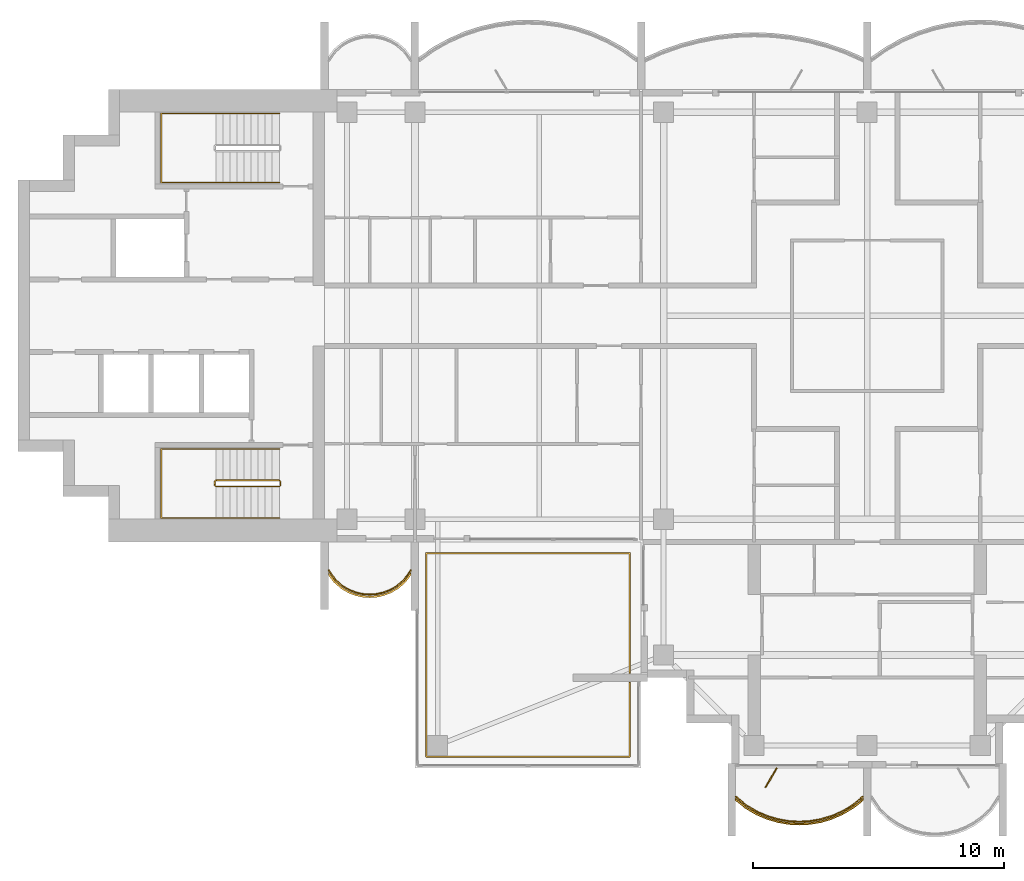
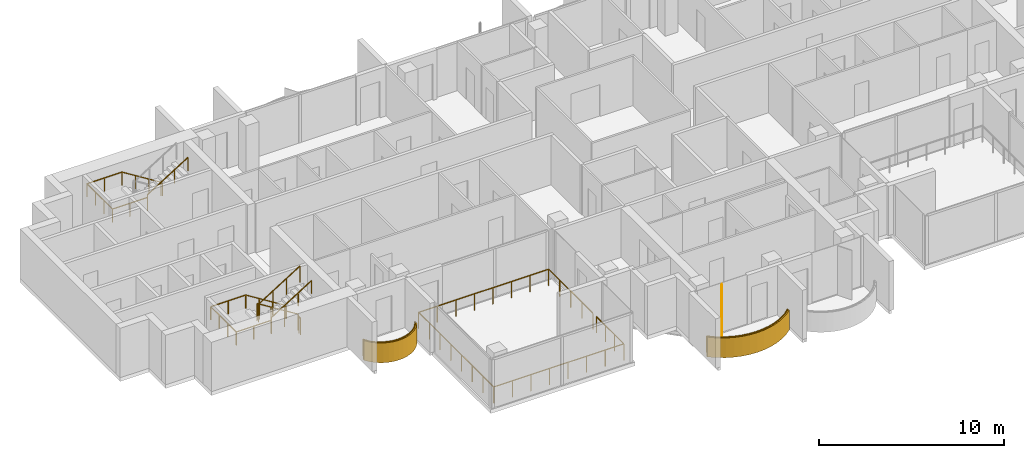
# One storey, part 13 of 16: 6 railings, 2 coverings, 1 shading device.
"""IFC4 building model written with IfcOpenShell, lengths in metres."""

from ifc_helpers import new_model, si_unit, direction, frame, origin, origin_2d, place, context, subcontext, project, spatial, polyline, rectangle, outline, extrude, material, layer, layer_set, type_object, element, save


model = new_model("IFC4")

# Units and contexts
model_context = context("Model", 3, precision=1e-05, world=origin(), true_north=direction((0.0, 1.0)))
body_context = subcontext(model_context, "Body", "Model", "MODEL_VIEW")
ifc_project = project(units=[si_unit("LENGTHUNIT", "METRE"), si_unit("AREAUNIT", "SQUARE_METRE"), si_unit("VOLUMEUNIT", "CUBIC_METRE"), si_unit("PLANEANGLEUNIT", "RADIAN"), si_unit("MASSUNIT", "GRAM", prefix="KILO")], contexts=[model_context])

# Site, building, storey
site_placement = place(None, origin())
site = spatial("IfcSite", under=ifc_project, at=site_placement, CompositionType="ELEMENT")
building_placement = place(site_placement, origin())
building = spatial("IfcBuilding", under=site, at=building_placement, Name="Perihelion Cross Residences", CompositionType="ELEMENT")
storey_placement = place(building_placement, frame((0.0, 0.0, 246.5)))
storey = spatial("IfcBuildingStorey", under=building, at=storey_placement, Name="L62", CompositionType="ELEMENT", Elevation=246.5)

# Coverings
ifc_material_1 = material(Name="Bronze anodised aluminium", Category="aluminium")
ifc_layer_1 = layer(ifc_material_1, 0.070068359375)
ifc_layer_set_1 = layer_set([ifc_layer_1], Name="Balcony fascia 1300")
covering_type = type_object("IfcCoveringType", Name="Balcony fascia 1300", PredefinedType="CLADDING", material=ifc_layer_set_1)
covering_1_placement = place(storey_placement, frame((0.0, 0.0, -0.199951171875)))
element("IfcCovering", 1, at=covering_1_placement, inside=storey, type_object=covering_type, Name="Fascia BF1 L62 west side south bay 1", PredefinedType="CLADDING", context=body_context, shape_type="SweptSolid", body=[
    extrude(outline(polyline([(-21.226318359375, -10.616455078125), (-20.94091796875, -10.86328125), (-20.655517578125, -11.031494140625), (-20.370361328125, -11.142578125), (-20.085205078125, -11.206298828125), (-19.800048828125, -11.22705078125), (-19.514892578125, -11.206298828125), (-19.229736328125, -11.142578125), (-18.9443359375, -11.031494140625), (-18.6591796875, -10.86328125), (-18.373779296875, -10.616455078125), (-18.14990234375, -10.31689453125), (-18.14990234375, -10.199951171875), (-18.425048828125, -10.568603515625), (-18.699951171875, -10.806396484375), (-18.97509765625, -10.96875), (-19.25, -11.07568359375), (-19.52490234375, -11.136962890625), (-19.800048828125, -11.156982421875), (-20.074951171875, -11.136962890625), (-20.35009765625, -11.07568359375), (-20.625, -10.96875), (-20.89990234375, -10.806396484375), (-21.175048828125, -10.568603515625), (-21.449951171875, -10.199951171875), (-21.449951171875, -10.31689453125), (-21.226318359375, -10.616455078125)])), origin(), (0.0, 0.0, 1.0), 1.300048828125),
])
covering_2_placement = place(storey_placement, frame((0.0, 0.0, -0.199951171875)))
element("IfcCovering", 2, at=covering_2_placement, inside=storey, type_object=covering_type, Name="Fascia BF1 L62 south tip south bay 1", PredefinedType="CLADDING", context=body_context, shape_type="SweptSolid", body=[
    extrude(outline(polyline([(-4.86474609375, -19.59765625), (-4.431884765625, -19.85498046875), (-3.998779296875, -20.04248046875), (-3.56591796875, -20.170654296875), (-3.133056640625, -20.245361328125), (-2.699951171875, -20.27001953125), (-2.26708984375, -20.245361328125), (-1.833984375, -20.170654296875), (-1.401123046875, -20.04248046875), (-0.96826171875, -19.85498046875), (-0.53515625, -19.59765625), (-0.14990234375, -19.28955078125), (-0.14990234375, -19.199951171875), (-0.574951171875, -19.5400390625), (-1.0, -19.792724609375), (-1.425048828125, -19.9765625), (-1.85009765625, -20.1025390625), (-2.27490234375, -20.17578125), (-2.699951171875, -20.199951171875), (-3.125, -20.17578125), (-3.550048828125, -20.1025390625), (-3.97509765625, -19.9765625), (-4.39990234375, -19.792724609375), (-4.824951171875, -19.5400390625), (-5.25, -19.199951171875), (-5.25, -19.28955078125), (-4.86474609375, -19.59765625)])), origin(), (0.0, 0.0, 1.0), 1.300048828125),
])

# Railings
ifc_material_2 = material(Name="Bronze anodised aluminium", Category="aluminium")
railing_type_1 = type_object("IfcRailingType", Name="Balcony guard 1100", PredefinedType="GUARDRAIL", material=ifc_material_2)
railing_1_placement = place(storey_placement, frame((-21.425048828125, -10.139892578125, 0.0)))
element("IfcRailing", 3, at=railing_1_placement, inside=storey, type_object=railing_type_1, Name="Guard GU1 L62 west side south bay 1 balcony", PredefinedType="GUARDRAIL", context=body_context, shape_type="SweptSolid", body=[
    extrude(rectangle(XDim=0.048095703125, YDim=0.048095703125, at=origin_2d()), frame((0.0, 0.0, 1.076171875), z_axis=(0.561260132269, -0.827639452857, 0.0), x_axis=(0.827639452857, 0.561260132269, 0.0)), (0.0, 0.0, 1.0), 0.4453125),
    extrude(rectangle(XDim=0.048095703125, YDim=0.048095703125, at=origin_2d()), frame((0.25, -0.36865234375, 1.076171875), z_axis=(0.756596535164, -0.653882009982, 0.0), x_axis=(0.653882009982, 0.756596535164, 0.0)), (0.0, 0.0, 1.0), 0.36376953125),
    extrude(rectangle(XDim=0.048095703125, YDim=0.048095703125, at=origin_2d()), frame((0.525146484375, -0.6064453125, 1.076171875), z_axis=(0.861048292884, -0.508523192511, 0.0), x_axis=(0.508523192511, 0.861048292884, 0.0)), (0.0, 0.0, 1.0), 0.3193359375),
    extrude(rectangle(XDim=0.048095703125, YDim=0.048095703125, at=origin_2d()), frame((0.800048828125, -0.768798828125, 1.076171875), z_axis=(0.931973602183, -0.362526143656, 0.0), x_axis=(0.362526143656, 0.931973602183, 0.0)), (0.0, 0.0, 1.0), 0.294921875),
    extrude(rectangle(XDim=0.048095703125, YDim=0.048095703125, at=origin_2d()), frame((1.074951171875, -0.875732421875, 1.076171875), z_axis=(0.976085059389, -0.21738895289, 0.0), x_axis=(0.21738895289, 0.976085059389, 0.0)), (0.0, 0.0, 1.0), 0.281982421875),
    extrude(rectangle(XDim=0.048095703125, YDim=0.048095703125, at=origin_2d()), frame((1.35009765625, -0.93701171875, 1.076171875), z_axis=(0.997358821833, -0.072631814734, 0.0), x_axis=(0.072631814734, 0.997358821833, 0.0)), (0.0, 0.0, 1.0), 0.275634765625),
    extrude(rectangle(XDim=0.048095703125, YDim=0.048095703125, at=origin_2d()), frame((1.625, -0.95703125, 1.076171875), z_axis=(0.997363488337, 0.072567707226, 0.0), x_axis=(-0.072567707226, 0.997363488337, 0.0)), (0.0, 0.0, 1.0), 0.27587890625),
    extrude(rectangle(XDim=0.048095703125, YDim=0.048095703125, at=origin_2d()), frame((1.900146484375, -0.93701171875, 1.076171875), z_axis=(0.976044077717, 0.217572880557, 0.0), x_axis=(-0.217572880557, 0.976044077717, 0.0)), (0.0, 0.0, 1.0), 0.28173828125),
    extrude(rectangle(XDim=0.048095703125, YDim=0.048095703125, at=origin_2d()), frame((2.175048828125, -0.875732421875, 1.076171875), z_axis=(0.931973602183, 0.362526143656, 0.0), x_axis=(-0.362526143656, 0.931973602183, 0.0)), (0.0, 0.0, 1.0), 0.294921875),
    extrude(rectangle(XDim=0.048095703125, YDim=0.048095703125, at=origin_2d()), frame((2.449951171875, -0.768798828125, 1.076171875), z_axis=(0.861245845072, 0.508188542123, 0.0), x_axis=(-0.508188542123, 0.861245845072, 0.0)), (0.0, 0.0, 1.0), 0.319580078125),
    extrude(rectangle(XDim=0.048095703125, YDim=0.048095703125, at=origin_2d()), frame((2.72509765625, -0.6064453125, 1.076171875), z_axis=(0.756309278473, 0.654214242658, 0.0), x_axis=(-0.654214242658, 0.756309278473, 0.0)), (0.0, 0.0, 1.0), 0.363525390625),
    extrude(rectangle(XDim=0.048095703125, YDim=0.048095703125, at=origin_2d()), frame((3.0, -0.36865234375, 1.076171875), z_axis=(0.561260132269, 0.827639452857, 0.0), x_axis=(-0.827639452857, 0.561260132269, 0.0)), (0.0, 0.0, 1.0), 0.4453125),
    extrude(rectangle(XDim=0.0419921875, YDim=0.0419921875, at=origin_2d()), origin(), (0.0, 0.0, 1.0), 1.052001953125),
    extrude(rectangle(XDim=0.0419921875, YDim=0.0419921875, at=origin_2d()), frame((0.25, -0.36865234375, 0.0)), (0.0, 0.0, 1.0), 1.052001953125),
    extrude(rectangle(XDim=0.0419921875, YDim=0.0419921875, at=origin_2d()), frame((0.525146484375, -0.6064453125, 0.0)), (0.0, 0.0, 1.0), 1.052001953125),
    extrude(rectangle(XDim=0.0419921875, YDim=0.0419921875, at=origin_2d()), frame((0.800048828125, -0.768798828125, 0.0)), (0.0, 0.0, 1.0), 1.052001953125),
    extrude(rectangle(XDim=0.0419921875, YDim=0.0419921875, at=origin_2d()), frame((1.074951171875, -0.875732421875, 0.0)), (0.0, 0.0, 1.0), 1.052001953125),
    extrude(rectangle(XDim=0.0419921875, YDim=0.0419921875, at=origin_2d()), frame((1.35009765625, -0.93701171875, 0.0)), (0.0, 0.0, 1.0), 1.052001953125),
    extrude(rectangle(XDim=0.0419921875, YDim=0.0419921875, at=origin_2d()), frame((1.625, -0.95703125, 0.0)), (0.0, 0.0, 1.0), 1.052001953125),
    extrude(rectangle(XDim=0.0419921875, YDim=0.0419921875, at=origin_2d()), frame((1.900146484375, -0.93701171875, 0.0)), (0.0, 0.0, 1.0), 1.052001953125),
    extrude(rectangle(XDim=0.0419921875, YDim=0.0419921875, at=origin_2d()), frame((2.175048828125, -0.875732421875, 0.0)), (0.0, 0.0, 1.0), 1.052001953125),
    extrude(rectangle(XDim=0.0419921875, YDim=0.0419921875, at=origin_2d()), frame((2.449951171875, -0.768798828125, 0.0)), (0.0, 0.0, 1.0), 1.052001953125),
    extrude(rectangle(XDim=0.0419921875, YDim=0.0419921875, at=origin_2d()), frame((2.72509765625, -0.6064453125, 0.0)), (0.0, 0.0, 1.0), 1.052001953125),
    extrude(rectangle(XDim=0.0419921875, YDim=0.0419921875, at=origin_2d()), frame((3.0, -0.36865234375, 0.0)), (0.0, 0.0, 1.0), 1.052001953125),
    extrude(rectangle(XDim=0.0419921875, YDim=0.0419921875, at=origin_2d()), frame((3.25, 0.0, 0.0)), (0.0, 0.0, 1.0), 1.052001953125),
])
railing_2_placement = place(storey_placement, frame((-5.22509765625, -19.139892578125, 0.0)))
element("IfcRailing", 4, at=railing_2_placement, inside=storey, type_object=railing_type_1, Name="Guard GU1 L62 south tip south bay 1 balcony", PredefinedType="GUARDRAIL", context=body_context, shape_type="SweptSolid", body=[
    extrude(rectangle(XDim=0.048095703125, YDim=0.048095703125, at=origin_2d()), frame((0.0, 0.0, 1.076171875), z_axis=(0.761973728849, -0.647607934281, 0.0), x_axis=(0.647607934281, 0.761973728849, 0.0)), (0.0, 0.0, 1.0), 0.525146484375),
    extrude(rectangle(XDim=0.048095703125, YDim=0.048095703125, at=origin_2d()), frame((0.400146484375, -0.340087890625, 1.076171875), z_axis=(0.859576918062, -0.511006381501, 0.0), x_axis=(0.511006381501, 0.859576918062, 0.0)), (0.0, 0.0, 1.0), 0.494384765625),
    extrude(rectangle(XDim=0.048095703125, YDim=0.048095703125, at=origin_2d()), frame((0.8251953125, -0.5927734375, 1.076171875), z_axis=(0.91755562531, -0.397607437634, 0.0), x_axis=(0.397607437634, 0.91755562531, 0.0)), (0.0, 0.0, 1.0), 0.462890625),
    extrude(rectangle(XDim=0.048095703125, YDim=0.048095703125, at=origin_2d()), frame((1.25, -0.77685546875, 1.076171875), z_axis=(0.958925815697, -0.283656975924, 0.0), x_axis=(0.283656975924, 0.958925815697, 0.0)), (0.0, 0.0, 1.0), 0.443359375),
    extrude(rectangle(XDim=0.048095703125, YDim=0.048095703125, at=origin_2d()), frame((1.675048828125, -0.902587890625, 1.076171875), z_axis=(0.985381583142, -0.17036177859, 0.0), x_axis=(0.17036177859, 0.985381583142, 0.0)), (0.0, 0.0, 1.0), 0.431396484375),
    extrude(rectangle(XDim=0.048095703125, YDim=0.048095703125, at=origin_2d()), frame((2.10009765625, -0.97607421875, 1.076171875), z_axis=(0.9984195016, -0.056200523353, 0.0), x_axis=(0.056200523353, 0.9984195016, 0.0)), (0.0, 0.0, 1.0), 0.42578125),
    extrude(rectangle(XDim=0.048095703125, YDim=0.048095703125, at=origin_2d()), frame((2.525146484375, -1.0, 1.076171875), z_axis=(0.9984195016, 0.056200523353, 0.0), x_axis=(-0.056200523353, 0.9984195016, 0.0)), (0.0, 0.0, 1.0), 0.42578125),
    extrude(rectangle(XDim=0.048095703125, YDim=0.048095703125, at=origin_2d()), frame((2.9501953125, -0.97607421875, 1.076171875), z_axis=(0.985365142702, 0.170456843651, 0.0), x_axis=(-0.170456843651, 0.985365142702, 0.0)), (0.0, 0.0, 1.0), 0.43115234375),
    extrude(rectangle(XDim=0.048095703125, YDim=0.048095703125, at=origin_2d()), frame((3.375, -0.902587890625, 1.076171875), z_axis=(0.958925815697, 0.283656975924, 0.0), x_axis=(-0.283656975924, 0.958925815697, 0.0)), (0.0, 0.0, 1.0), 0.443359375),
    extrude(rectangle(XDim=0.048095703125, YDim=0.048095703125, at=origin_2d()), frame((3.800048828125, -0.77685546875, 1.076171875), z_axis=(0.917638931453, 0.397415137459, 0.0), x_axis=(-0.397415137459, 0.917638931453, 0.0)), (0.0, 0.0, 1.0), 0.463134765625),
    extrude(rectangle(XDim=0.048095703125, YDim=0.048095703125, at=origin_2d()), frame((4.22509765625, -0.5927734375, 1.076171875), z_axis=(0.859576918062, 0.511006381501, 0.0), x_axis=(-0.511006381501, 0.859576918062, 0.0)), (0.0, 0.0, 1.0), 0.494384765625),
    extrude(rectangle(XDim=0.048095703125, YDim=0.048095703125, at=origin_2d()), frame((4.650146484375, -0.340087890625, 1.076171875), z_axis=(0.761778647315, 0.647837396648, 0.0), x_axis=(-0.647837396648, 0.761778647315, 0.0)), (0.0, 0.0, 1.0), 0.52490234375),
    extrude(rectangle(XDim=0.0419921875, YDim=0.0419921875, at=origin_2d()), origin(), (0.0, 0.0, 1.0), 1.052001953125),
    extrude(rectangle(XDim=0.0419921875, YDim=0.0419921875, at=origin_2d()), frame((0.400146484375, -0.340087890625, 0.0)), (0.0, 0.0, 1.0), 1.052001953125),
    extrude(rectangle(XDim=0.0419921875, YDim=0.0419921875, at=origin_2d()), frame((0.8251953125, -0.5927734375, 0.0)), (0.0, 0.0, 1.0), 1.052001953125),
    extrude(rectangle(XDim=0.0419921875, YDim=0.0419921875, at=origin_2d()), frame((1.25, -0.77685546875, 0.0)), (0.0, 0.0, 1.0), 1.052001953125),
    extrude(rectangle(XDim=0.0419921875, YDim=0.0419921875, at=origin_2d()), frame((1.675048828125, -0.902587890625, 0.0)), (0.0, 0.0, 1.0), 1.052001953125),
    extrude(rectangle(XDim=0.0419921875, YDim=0.0419921875, at=origin_2d()), frame((2.10009765625, -0.97607421875, 0.0)), (0.0, 0.0, 1.0), 1.052001953125),
    extrude(rectangle(XDim=0.0419921875, YDim=0.0419921875, at=origin_2d()), frame((2.525146484375, -1.0, 0.0)), (0.0, 0.0, 1.0), 1.052001953125),
    extrude(rectangle(XDim=0.0419921875, YDim=0.0419921875, at=origin_2d()), frame((2.9501953125, -0.97607421875, 0.0)), (0.0, 0.0, 1.0), 1.052001953125),
    extrude(rectangle(XDim=0.0419921875, YDim=0.0419921875, at=origin_2d()), frame((3.375, -0.902587890625, 0.0)), (0.0, 0.0, 1.0), 1.052001953125),
    extrude(rectangle(XDim=0.0419921875, YDim=0.0419921875, at=origin_2d()), frame((3.800048828125, -0.77685546875, 0.0)), (0.0, 0.0, 1.0), 1.052001953125),
    extrude(rectangle(XDim=0.0419921875, YDim=0.0419921875, at=origin_2d()), frame((4.22509765625, -0.5927734375, 0.0)), (0.0, 0.0, 1.0), 1.052001953125),
    extrude(rectangle(XDim=0.0419921875, YDim=0.0419921875, at=origin_2d()), frame((4.650146484375, -0.340087890625, 0.0)), (0.0, 0.0, 1.0), 1.052001953125),
    extrude(rectangle(XDim=0.0419921875, YDim=0.0419921875, at=origin_2d()), frame((5.050048828125, 0.0, 0.0)), (0.0, 0.0, 1.0), 1.052001953125),
])
railing_3_placement = place(storey_placement, frame((-9.449951171875, -14.590087890625, 0.0)))
element("IfcRailing", 5, at=railing_3_placement, inside=storey, type_object=railing_type_1, Name="Guard GU1 L62 pocket south-west 1", PredefinedType="GUARDRAIL", context=body_context, shape_type="SweptSolid", body=[
    extrude(rectangle(XDim=0.048095703125, YDim=0.048095703125, at=origin_2d()), frame((0.0, 0.0, 1.076171875), z_axis=(0.0, -1.0, 0.0), x_axis=(1.0, 0.0, 0.0)), (0.0, 0.0, 1.0), 2.9599609375),
    extrude(rectangle(XDim=0.048095703125, YDim=0.048095703125, at=origin_2d()), frame((0.0, -2.9599609375, 1.076171875), z_axis=(-1.0, 0.0, 0.0), x_axis=(0.0, -1.0, 0.0)), (0.0, 0.0, 1.0), 8.10009765625),
    extrude(rectangle(XDim=0.048095703125, YDim=0.048095703125, at=origin_2d()), frame((-8.10009765625, -2.9599609375, 1.076171875), z_axis=(0.0, 1.0, 0.0), x_axis=(-1.0, 0.0, 0.0)), (0.0, 0.0, 1.0), 8.10009765625),
    extrude(rectangle(XDim=0.048095703125, YDim=0.048095703125, at=origin_2d()), frame((-8.10009765625, 5.14013671875, 1.076171875), z_axis=(1.0, 0.0, 0.0), x_axis=(0.0, 1.0, 0.0)), (0.0, 0.0, 1.0), 8.10009765625),
    extrude(rectangle(XDim=0.048095703125, YDim=0.048095703125, at=origin_2d()), frame((0.0, 5.14013671875, 1.076171875), z_axis=(0.0, -1.0, 0.0), x_axis=(1.0, 0.0, 0.0)), (0.0, 0.0, 1.0), 4.760009765625),
    extrude(rectangle(XDim=0.0419921875, YDim=0.0419921875, at=origin_2d()), origin(), (0.0, 0.0, 1.0), 1.052001953125),
    extrude(rectangle(XDim=0.0419921875, YDim=0.0419921875, at=origin_2d()), frame((0.0, -0.986572265625, 0.0)), (0.0, 0.0, 1.0), 1.052001953125),
    extrude(rectangle(XDim=0.0419921875, YDim=0.0419921875, at=origin_2d()), frame((0.0, -1.973388671875, 0.0)), (0.0, 0.0, 1.0), 1.052001953125),
    extrude(rectangle(XDim=0.0419921875, YDim=0.0419921875, at=origin_2d()), frame((0.0, -2.9599609375, 0.0)), (0.0, 0.0, 1.0), 1.052001953125),
    extrude(rectangle(XDim=0.0419921875, YDim=0.0419921875, at=origin_2d()), frame((-1.1572265625, -2.9599609375, 0.0)), (0.0, 0.0, 1.0), 1.052001953125),
    extrude(rectangle(XDim=0.0419921875, YDim=0.0419921875, at=origin_2d()), frame((-2.314208984375, -2.9599609375, 0.0)), (0.0, 0.0, 1.0), 1.052001953125),
    extrude(rectangle(XDim=0.0419921875, YDim=0.0419921875, at=origin_2d()), frame((-3.471435546875, -2.9599609375, 0.0)), (0.0, 0.0, 1.0), 1.052001953125),
    extrude(rectangle(XDim=0.0419921875, YDim=0.0419921875, at=origin_2d()), frame((-4.628662109375, -2.9599609375, 0.0)), (0.0, 0.0, 1.0), 1.052001953125),
    extrude(rectangle(XDim=0.0419921875, YDim=0.0419921875, at=origin_2d()), frame((-5.785888671875, -2.9599609375, 0.0)), (0.0, 0.0, 1.0), 1.052001953125),
    extrude(rectangle(XDim=0.0419921875, YDim=0.0419921875, at=origin_2d()), frame((-6.94287109375, -2.9599609375, 0.0)), (0.0, 0.0, 1.0), 1.052001953125),
    extrude(rectangle(XDim=0.0419921875, YDim=0.0419921875, at=origin_2d()), frame((-8.10009765625, -2.9599609375, 0.0)), (0.0, 0.0, 1.0), 1.052001953125),
    extrude(rectangle(XDim=0.0419921875, YDim=0.0419921875, at=origin_2d()), frame((-8.10009765625, -1.802734375, 0.0)), (0.0, 0.0, 1.0), 1.052001953125),
    extrude(rectangle(XDim=0.0419921875, YDim=0.0419921875, at=origin_2d()), frame((-8.10009765625, -0.645751953125, 0.0)), (0.0, 0.0, 1.0), 1.052001953125),
    extrude(rectangle(XDim=0.0419921875, YDim=0.0419921875, at=origin_2d()), frame((-8.10009765625, 0.511474609375, 0.0)), (0.0, 0.0, 1.0), 1.052001953125),
    extrude(rectangle(XDim=0.0419921875, YDim=0.0419921875, at=origin_2d()), frame((-8.10009765625, 1.668701171875, 0.0)), (0.0, 0.0, 1.0), 1.052001953125),
    extrude(rectangle(XDim=0.0419921875, YDim=0.0419921875, at=origin_2d()), frame((-8.10009765625, 2.825927734375, 0.0)), (0.0, 0.0, 1.0), 1.052001953125),
    extrude(rectangle(XDim=0.0419921875, YDim=0.0419921875, at=origin_2d()), frame((-8.10009765625, 3.98291015625, 0.0)), (0.0, 0.0, 1.0), 1.052001953125),
    extrude(rectangle(XDim=0.0419921875, YDim=0.0419921875, at=origin_2d()), frame((-8.10009765625, 5.14013671875, 0.0)), (0.0, 0.0, 1.0), 1.052001953125),
    extrude(rectangle(XDim=0.0419921875, YDim=0.0419921875, at=origin_2d()), frame((-6.94287109375, 5.14013671875, 0.0)), (0.0, 0.0, 1.0), 1.052001953125),
    extrude(rectangle(XDim=0.0419921875, YDim=0.0419921875, at=origin_2d()), frame((-5.785888671875, 5.14013671875, 0.0)), (0.0, 0.0, 1.0), 1.052001953125),
    extrude(rectangle(XDim=0.0419921875, YDim=0.0419921875, at=origin_2d()), frame((-4.628662109375, 5.14013671875, 0.0)), (0.0, 0.0, 1.0), 1.052001953125),
    extrude(rectangle(XDim=0.0419921875, YDim=0.0419921875, at=origin_2d()), frame((-3.471435546875, 5.14013671875, 0.0)), (0.0, 0.0, 1.0), 1.052001953125),
    extrude(rectangle(XDim=0.0419921875, YDim=0.0419921875, at=origin_2d()), frame((-2.314208984375, 5.14013671875, 0.0)), (0.0, 0.0, 1.0), 1.052001953125),
    extrude(rectangle(XDim=0.0419921875, YDim=0.0419921875, at=origin_2d()), frame((-1.1572265625, 5.14013671875, 0.0)), (0.0, 0.0, 1.0), 1.052001953125),
    extrude(rectangle(XDim=0.0419921875, YDim=0.0419921875, at=origin_2d()), frame((0.0, 5.14013671875, 0.0)), (0.0, 0.0, 1.0), 1.052001953125),
    extrude(rectangle(XDim=0.0419921875, YDim=0.0419921875, at=origin_2d()), frame((0.0, 3.9501953125, 0.0)), (0.0, 0.0, 1.0), 1.052001953125),
    extrude(rectangle(XDim=0.0419921875, YDim=0.0419921875, at=origin_2d()), frame((0.0, 2.76025390625, 0.0)), (0.0, 0.0, 1.0), 1.052001953125),
    extrude(rectangle(XDim=0.0419921875, YDim=0.0419921875, at=origin_2d()), frame((0.0, 1.570068359375, 0.0)), (0.0, 0.0, 1.0), 1.052001953125),
    extrude(rectangle(XDim=0.0419921875, YDim=0.0419921875, at=origin_2d()), frame((0.0, 0.380126953125, 0.0)), (0.0, 0.0, 1.0), 1.052001953125),
])

# Shading device
ifc_material_3 = material(Name="Bronze anodised aluminium", Category="aluminium")
ifc_layer_2 = layer(ifc_material_3, 0.050048828125)
ifc_layer_set_2 = layer_set([ifc_layer_2], Name="Bronze fin 900")
shading_device_type = type_object("IfcShadingDeviceType", Name="Bronze fin 900", PredefinedType="USERDEFINED", material=ifc_layer_set_2)
shading_device_placement = place(storey_placement, frame((-3.824951171875, -18.3896484375, 0.0), z_axis=(0.0, 0.0, 1.0), x_axis=(-0.5, -0.866025403784, 0.0)))
element("IfcShadingDevice", 6, at=shading_device_placement, inside=storey, type_object=shading_device_type, Name="Fin FN1 L62 south tip south bay 1", ObjectType="FIN", PredefinedType="USERDEFINED", context=body_context, shape_type="SweptSolid", body=[
    extrude(rectangle(XDim=0.89990234375, YDim=0.050048828125, at=origin_2d()), origin(), (0.0, 0.0, 1.0), 3.25),
])

# Railings
ifc_material_4 = material(Name="Stainless steel", Category="steel")
railing_type_2 = type_object("IfcRailingType", Name="Stair guard 1100", PredefinedType="GUARDRAIL", material=ifc_material_4)
railing_4_placement = place(storey_placement, frame((-23.35009765625, -6.75, 0.0)))
element("IfcRailing", 7, at=railing_4_placement, inside=storey, type_object=railing_type_2, Name="L62 ST-W2 stair guard 1", PredefinedType="GUARDRAIL", context=body_context, shape_type="SweptSolid", body=[
    extrude(rectangle(XDim=0.048095703125, YDim=0.048095703125, at=origin_2d()), frame((0.0, 0.0, 1.076171875), z_axis=(0.0, 1.0, 0.0), x_axis=(-1.0, 0.0, 0.0)), (0.0, 0.0, 1.0), 0.14990234375),
    extrude(rectangle(XDim=0.048095703125, YDim=0.048095703125, at=origin_2d()), frame((0.0, 0.14990234375, 1.076171875), z_axis=(-0.263862480399, 0.265155923931, 0.927399011991), x_axis=(-0.708833529934, -0.705375805398, 0.0)), (0.0, 0.0, 1.0), 0.188720703125),
    extrude(rectangle(XDim=0.048095703125, YDim=0.048095703125, at=origin_2d()), frame((-0.0498046875, 0.199951171875, 1.2509765625), z_axis=(-0.848007534815, 0.0, 0.529984170421), x_axis=(0.0, -1.0, 0.0)), (0.0, 0.0, 1.0), 2.9716796875),
    extrude(rectangle(XDim=0.048095703125, YDim=0.048095703125, at=origin_2d()), frame((-2.56982421875, 0.199951171875, 2.826171875), z_axis=(-0.707106781187, -0.707106781187, 0.0), x_axis=(0.707106781187, -0.707106781187, 0.0)), (0.0, 0.0, 1.0), 0.07080078125),
    extrude(rectangle(XDim=0.048095703125, YDim=0.048095703125, at=origin_2d()), frame((-2.619873046875, 0.14990234375, 2.826171875), z_axis=(0.0, -1.0, 0.0), x_axis=(1.0, 0.0, 0.0)), (0.0, 0.0, 1.0), 0.14990234375),
    extrude(rectangle(XDim=0.048095703125, YDim=0.048095703125, at=origin_2d()), frame((-2.619873046875, 0.0, 2.826171875), z_axis=(0.265065253269, -0.265065253269, 0.927081885822), x_axis=(0.707106781187, 0.707106781187, 0.0)), (0.0, 0.0, 1.0), 0.188720703125),
    extrude(rectangle(XDim=0.048095703125, YDim=0.048095703125, at=origin_2d()), frame((-2.56982421875, -0.050048828125, 3.0009765625), z_axis=(0.848007534815, 0.0, 0.529984170421), x_axis=(0.0, 1.0, 0.0)), (0.0, 0.0, 1.0), 2.9716796875),
    extrude(rectangle(XDim=0.0419921875, YDim=0.0419921875, at=origin_2d()), origin(), (0.0, 0.0, 1.0), 1.052001953125),
    extrude(rectangle(XDim=0.0419921875, YDim=0.0419921875, at=origin_2d()), frame((0.0, 0.14990234375, 0.0)), (0.0, 0.0, 1.0), 1.052001953125),
    extrude(rectangle(XDim=0.0419921875, YDim=0.0419921875, at=origin_2d()), frame((-0.0498046875, 0.199951171875, 0.175048828125)), (0.0, 0.0, 1.0), 1.052001953125),
    extrude(rectangle(XDim=0.0419921875, YDim=0.0419921875, at=origin_2d()), frame((-0.889892578125, 0.199951171875, 0.699951171875)), (0.0, 0.0, 1.0), 1.052001953125),
    extrude(rectangle(XDim=0.0419921875, YDim=0.0419921875, at=origin_2d()), frame((-1.729736328125, 0.199951171875, 1.22509765625)), (0.0, 0.0, 1.0), 1.052001953125),
    extrude(rectangle(XDim=0.0419921875, YDim=0.0419921875, at=origin_2d()), frame((-2.56982421875, 0.199951171875, 1.75)), (0.0, 0.0, 1.0), 1.052001953125),
    extrude(rectangle(XDim=0.0419921875, YDim=0.0419921875, at=origin_2d()), frame((-2.619873046875, 0.14990234375, 1.75)), (0.0, 0.0, 1.0), 1.052001953125),
    extrude(rectangle(XDim=0.0419921875, YDim=0.0419921875, at=origin_2d()), frame((-2.619873046875, 0.0, 1.75)), (0.0, 0.0, 1.0), 1.052001953125),
    extrude(rectangle(XDim=0.0419921875, YDim=0.0419921875, at=origin_2d()), frame((-2.56982421875, -0.050048828125, 1.925048828125)), (0.0, 0.0, 1.0), 1.052001953125),
    extrude(rectangle(XDim=0.0419921875, YDim=0.0419921875, at=origin_2d()), frame((-1.729736328125, -0.050048828125, 2.449951171875)), (0.0, 0.0, 1.0), 1.052001953125),
    extrude(rectangle(XDim=0.0419921875, YDim=0.0419921875, at=origin_2d()), frame((-0.889892578125, -0.050048828125, 2.97509765625)), (0.0, 0.0, 1.0), 1.052001953125),
    extrude(rectangle(XDim=0.0419921875, YDim=0.0419921875, at=origin_2d()), frame((-0.0498046875, -0.050048828125, 3.5)), (0.0, 0.0, 1.0), 1.052001953125),
])
ifc_material_5 = material(Name="Stainless steel", Category="steel")
railing_type_3 = type_object("IfcRailingType", Name="Stair handrail 900", PredefinedType="HANDRAIL", material=ifc_material_5)
railing_5_placement = place(storey_placement, frame((-23.39990234375, 8.050048828125, 0.175048828125)))
element("IfcRailing", 8, at=railing_5_placement, inside=storey, type_object=railing_type_3, Name="L62 ST-W1 stair handrail 1", PredefinedType="HANDRAIL", context=body_context, shape_type="SweptSolid", body=[
    extrude(rectangle(XDim=0.048095703125, YDim=0.048095703125, at=origin_2d()), frame((0.0, 0.0, 0.8759765625), z_axis=(-0.848007534815, 0.0, 0.529984170421), x_axis=(0.0, -1.0, 0.0)), (0.0, 0.0, 1.0), 2.9716796875),
    extrude(rectangle(XDim=0.048095703125, YDim=0.048095703125, at=origin_2d()), frame((-2.52001953125, 0.0, 2.45068359375), z_axis=(-1.0, 0.0, 0.0), x_axis=(0.0, -1.0, 0.0)), (0.0, 0.0, 1.0), 2.18017578125),
    extrude(rectangle(XDim=0.048095703125, YDim=0.048095703125, at=origin_2d()), frame((-4.7001953125, 0.0, 2.45068359375), z_axis=(0.0, -1.0, 0.0), x_axis=(1.0, 0.0, 0.0)), (0.0, 0.0, 1.0), 2.75),
    extrude(rectangle(XDim=0.048095703125, YDim=0.048095703125, at=origin_2d()), frame((-4.7001953125, -2.75, 2.45068359375), z_axis=(1.0, 0.0, 0.0), x_axis=(0.0, 1.0, 0.0)), (0.0, 0.0, 1.0), 2.18017578125),
    extrude(rectangle(XDim=0.048095703125, YDim=0.048095703125, at=origin_2d()), frame((-2.52001953125, -2.75, 2.45068359375), z_axis=(0.0, 0.0, 1.0), x_axis=(1.0, 0.0, 0.0)), (0.0, 0.0, 1.0), 0.175048828125),
    extrude(rectangle(XDim=0.048095703125, YDim=0.048095703125, at=origin_2d()), frame((-2.52001953125, -2.75, 2.6259765625), z_axis=(0.848007534815, 0.0, 0.529984170421), x_axis=(0.0, 1.0, 0.0)), (0.0, 0.0, 1.0), 2.9716796875),
    extrude(rectangle(XDim=0.0419921875, YDim=0.0419921875, at=origin_2d()), origin(), (0.0, 0.0, 1.0), 0.851806640625),
    extrude(rectangle(XDim=0.0419921875, YDim=0.0419921875, at=origin_2d()), frame((-0.840087890625, 0.0, 0.52490234375)), (0.0, 0.0, 1.0), 0.851806640625),
    extrude(rectangle(XDim=0.0419921875, YDim=0.0419921875, at=origin_2d()), frame((-1.679931640625, 0.0, 1.050048828125)), (0.0, 0.0, 1.0), 0.851806640625),
    extrude(rectangle(XDim=0.0419921875, YDim=0.0419921875, at=origin_2d()), frame((-2.52001953125, 0.0, 1.574951171875)), (0.0, 0.0, 1.0), 0.851806640625),
    extrude(rectangle(XDim=0.0419921875, YDim=0.0419921875, at=origin_2d()), frame((-3.610107421875, 0.0, 1.574951171875)), (0.0, 0.0, 1.0), 0.851806640625),
    extrude(rectangle(XDim=0.0419921875, YDim=0.0419921875, at=origin_2d()), frame((-4.7001953125, 0.0, 1.574951171875)), (0.0, 0.0, 1.0), 0.851806640625),
    extrude(rectangle(XDim=0.0419921875, YDim=0.0419921875, at=origin_2d()), frame((-4.7001953125, -0.916748046875, 1.574951171875)), (0.0, 0.0, 1.0), 0.851806640625),
    extrude(rectangle(XDim=0.0419921875, YDim=0.0419921875, at=origin_2d()), frame((-4.7001953125, -1.833251953125, 1.574951171875)), (0.0, 0.0, 1.0), 0.851806640625),
    extrude(rectangle(XDim=0.0419921875, YDim=0.0419921875, at=origin_2d()), frame((-4.7001953125, -2.75, 1.574951171875)), (0.0, 0.0, 1.0), 0.851806640625),
    extrude(rectangle(XDim=0.0419921875, YDim=0.0419921875, at=origin_2d()), frame((-3.610107421875, -2.75, 1.574951171875)), (0.0, 0.0, 1.0), 0.851806640625),
    extrude(rectangle(XDim=0.0419921875, YDim=0.0419921875, at=origin_2d()), frame((-2.52001953125, -2.75, 1.574951171875)), (0.0, 0.0, 1.0), 0.851806640625),
    extrude(rectangle(XDim=0.0419921875, YDim=0.0419921875, at=origin_2d()), frame((-2.52001953125, -2.75, 1.75)), (0.0, 0.0, 1.0), 0.851806640625),
    extrude(rectangle(XDim=0.0419921875, YDim=0.0419921875, at=origin_2d()), frame((-1.679931640625, -2.75, 2.27490234375)), (0.0, 0.0, 1.0), 0.851806640625),
    extrude(rectangle(XDim=0.0419921875, YDim=0.0419921875, at=origin_2d()), frame((-0.840087890625, -2.75, 2.800048828125)), (0.0, 0.0, 1.0), 0.851806640625),
    extrude(rectangle(XDim=0.0419921875, YDim=0.0419921875, at=origin_2d()), frame((0.0, -2.75, 3.324951171875)), (0.0, 0.0, 1.0), 0.851806640625),
])
railing_6_placement = place(storey_placement, frame((-23.39990234375, -5.300048828125, 0.175048828125)))
element("IfcRailing", 9, at=railing_6_placement, inside=storey, type_object=railing_type_3, Name="L62 ST-W2 stair handrail 1", PredefinedType="HANDRAIL", context=body_context, shape_type="SweptSolid", body=[
    extrude(rectangle(XDim=0.048095703125, YDim=0.048095703125, at=origin_2d()), frame((0.0, 0.0, 0.8759765625), z_axis=(-0.848007534815, 0.0, 0.529984170421), x_axis=(0.0, -1.0, 0.0)), (0.0, 0.0, 1.0), 2.9716796875),
    extrude(rectangle(XDim=0.048095703125, YDim=0.048095703125, at=origin_2d()), frame((-2.52001953125, 0.0, 2.45068359375), z_axis=(-1.0, 0.0, 0.0), x_axis=(0.0, -1.0, 0.0)), (0.0, 0.0, 1.0), 2.18017578125),
    extrude(rectangle(XDim=0.048095703125, YDim=0.048095703125, at=origin_2d()), frame((-4.7001953125, 0.0, 2.45068359375), z_axis=(0.0, -1.0, 0.0), x_axis=(1.0, 0.0, 0.0)), (0.0, 0.0, 1.0), 2.75),
    extrude(rectangle(XDim=0.048095703125, YDim=0.048095703125, at=origin_2d()), frame((-4.7001953125, -2.75, 2.45068359375), z_axis=(1.0, 0.0, 0.0), x_axis=(0.0, 1.0, 0.0)), (0.0, 0.0, 1.0), 2.18017578125),
    extrude(rectangle(XDim=0.048095703125, YDim=0.048095703125, at=origin_2d()), frame((-2.52001953125, -2.75, 2.45068359375), z_axis=(0.0, 0.0, 1.0), x_axis=(1.0, 0.0, 0.0)), (0.0, 0.0, 1.0), 0.175048828125),
    extrude(rectangle(XDim=0.048095703125, YDim=0.048095703125, at=origin_2d()), frame((-2.52001953125, -2.75, 2.6259765625), z_axis=(0.848007534815, 0.0, 0.529984170421), x_axis=(0.0, 1.0, 0.0)), (0.0, 0.0, 1.0), 2.9716796875),
    extrude(rectangle(XDim=0.0419921875, YDim=0.0419921875, at=origin_2d()), origin(), (0.0, 0.0, 1.0), 0.851806640625),
    extrude(rectangle(XDim=0.0419921875, YDim=0.0419921875, at=origin_2d()), frame((-0.840087890625, 0.0, 0.52490234375)), (0.0, 0.0, 1.0), 0.851806640625),
    extrude(rectangle(XDim=0.0419921875, YDim=0.0419921875, at=origin_2d()), frame((-1.679931640625, 0.0, 1.050048828125)), (0.0, 0.0, 1.0), 0.851806640625),
    extrude(rectangle(XDim=0.0419921875, YDim=0.0419921875, at=origin_2d()), frame((-2.52001953125, 0.0, 1.574951171875)), (0.0, 0.0, 1.0), 0.851806640625),
    extrude(rectangle(XDim=0.0419921875, YDim=0.0419921875, at=origin_2d()), frame((-3.610107421875, 0.0, 1.574951171875)), (0.0, 0.0, 1.0), 0.851806640625),
    extrude(rectangle(XDim=0.0419921875, YDim=0.0419921875, at=origin_2d()), frame((-4.7001953125, 0.0, 1.574951171875)), (0.0, 0.0, 1.0), 0.851806640625),
    extrude(rectangle(XDim=0.0419921875, YDim=0.0419921875, at=origin_2d()), frame((-4.7001953125, -0.916748046875, 1.574951171875)), (0.0, 0.0, 1.0), 0.851806640625),
    extrude(rectangle(XDim=0.0419921875, YDim=0.0419921875, at=origin_2d()), frame((-4.7001953125, -1.833251953125, 1.574951171875)), (0.0, 0.0, 1.0), 0.851806640625),
    extrude(rectangle(XDim=0.0419921875, YDim=0.0419921875, at=origin_2d()), frame((-4.7001953125, -2.75, 1.574951171875)), (0.0, 0.0, 1.0), 0.851806640625),
    extrude(rectangle(XDim=0.0419921875, YDim=0.0419921875, at=origin_2d()), frame((-3.610107421875, -2.75, 1.574951171875)), (0.0, 0.0, 1.0), 0.851806640625),
    extrude(rectangle(XDim=0.0419921875, YDim=0.0419921875, at=origin_2d()), frame((-2.52001953125, -2.75, 1.574951171875)), (0.0, 0.0, 1.0), 0.851806640625),
    extrude(rectangle(XDim=0.0419921875, YDim=0.0419921875, at=origin_2d()), frame((-2.52001953125, -2.75, 1.75)), (0.0, 0.0, 1.0), 0.851806640625),
    extrude(rectangle(XDim=0.0419921875, YDim=0.0419921875, at=origin_2d()), frame((-1.679931640625, -2.75, 2.27490234375)), (0.0, 0.0, 1.0), 0.851806640625),
    extrude(rectangle(XDim=0.0419921875, YDim=0.0419921875, at=origin_2d()), frame((-0.840087890625, -2.75, 2.800048828125)), (0.0, 0.0, 1.0), 0.851806640625),
    extrude(rectangle(XDim=0.0419921875, YDim=0.0419921875, at=origin_2d()), frame((0.0, -2.75, 3.324951171875)), (0.0, 0.0, 1.0), 0.851806640625),
])

save(model, "model.ifc")
